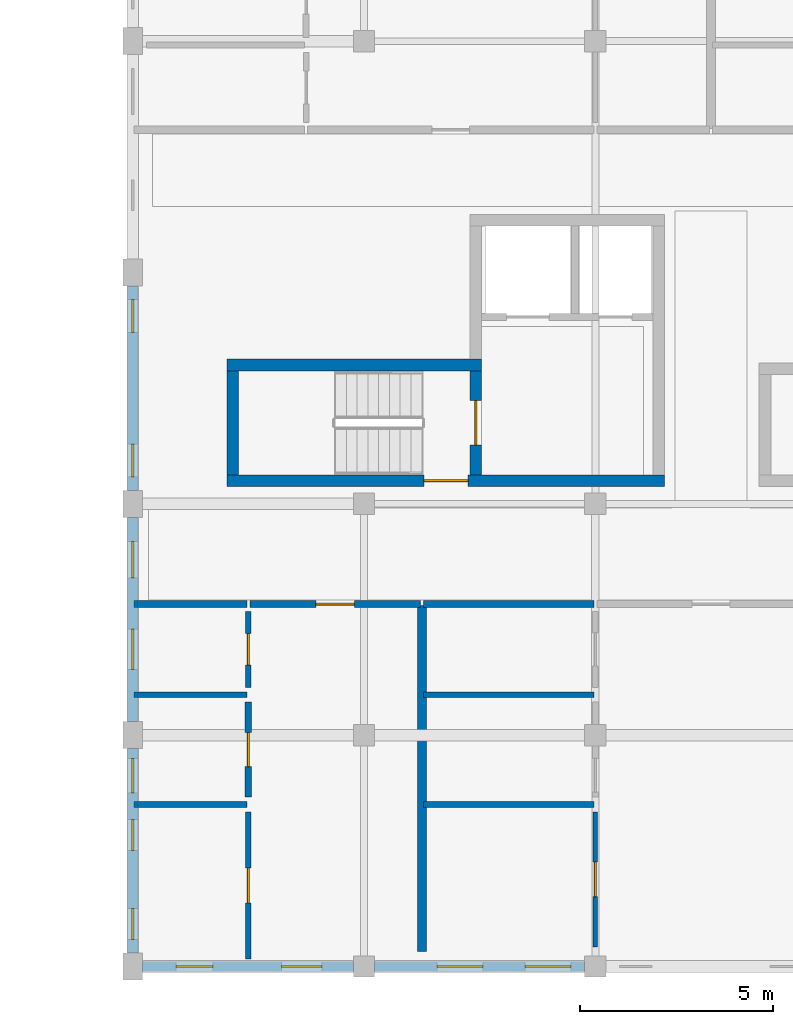
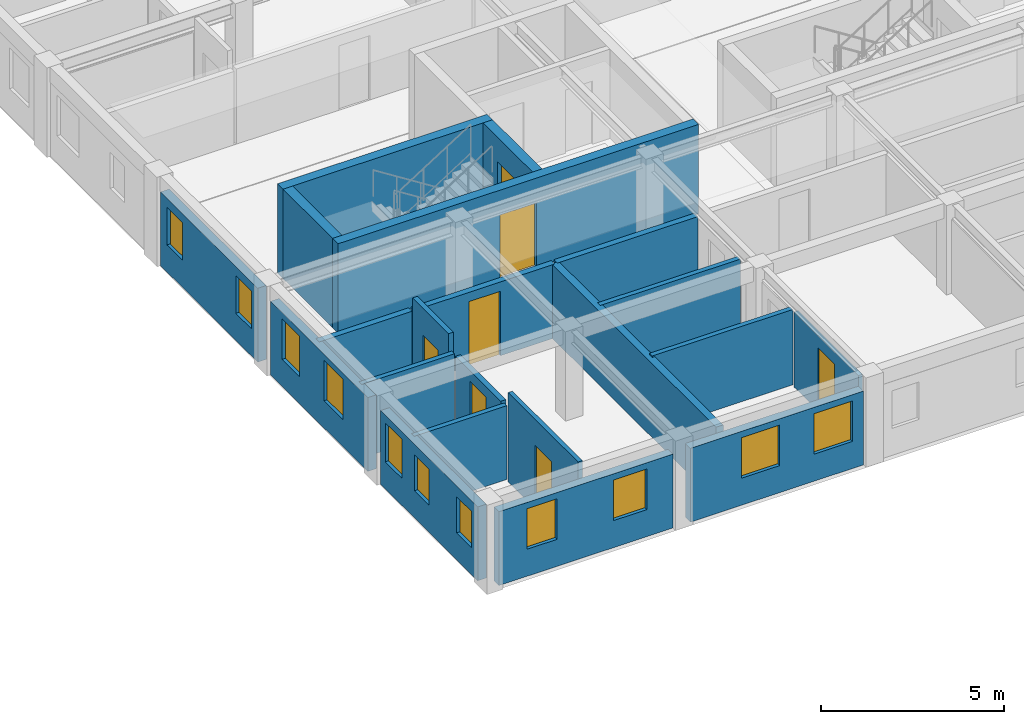
# One storey, part 11 of 28: 21 walls, 11 windows, 7 doors, 18 openings.
"""IFC4 building model written with IfcOpenShell, lengths in metres."""

from ifc_helpers import new_model, si_unit, direction, frame, frame_2d, origin, place, context, subcontext, project, spatial, rectangle, extrude, material, layer, layer_set, type_object, element, fill, save


model = new_model("IFC4")

# Units and contexts
model_context = context("Model", 3, precision=1e-05, world=origin(), true_north=direction((0.0, 1.0)))
body_context = subcontext(model_context, "Body", "Model", "MODEL_VIEW")
ifc_project = project(units=[si_unit("LENGTHUNIT", "METRE"), si_unit("AREAUNIT", "SQUARE_METRE"), si_unit("VOLUMEUNIT", "CUBIC_METRE"), si_unit("PLANEANGLEUNIT", "RADIAN"), si_unit("MASSUNIT", "GRAM", prefix="KILO"), si_unit("POWERUNIT", "WATT"), si_unit("THERMODYNAMICTEMPERATUREUNIT", "KELVIN")], contexts=[model_context])

# Site, building, storey
site_placement = place(None, origin())
site = spatial("IfcSite", under=ifc_project, at=site_placement, CompositionType="ELEMENT")
building_placement = place(site_placement, origin())
building = spatial("IfcBuilding", under=site, at=building_placement, Name="Ruvembo Vaulted Housing Court", CompositionType="ELEMENT")
storey_placement = place(building_placement, frame((0.0, 0.0, 23.699951171875)))
storey = spatial("IfcBuildingStorey", under=building, at=storey_placement, Name="L07", CompositionType="ELEMENT", Elevation=23.699951171875)

# Wall, opening, door
ifc_material_1 = material(Name="Concrete C35/45", Category="concrete")
ifc_layer_1 = layer(ifc_material_1, 0.300048828125, Name="Concrete C35/45")
ifc_layer_set_1 = layer_set([ifc_layer_1], Name="Concrete C35/45")
wall_type_1 = type_object("IfcWallType", Name="WL-CORE-300", PredefinedType="SHEAR", material=ifc_layer_set_1)
wall_1_placement = place(storey_placement, frame((104.449951171875, 12.60009765625, 0.0), z_axis=(0.0, 0.0, 1.0), x_axis=(1.0, 0.0, 0.0)))
wall_1 = element("IfcWall", 1, at=wall_1_placement, inside=storey, type_object=wall_type_1, Name="Core C1 L07 South Shear Wall", PredefinedType="SHEAR", context=body_context, shape_type="SweptSolid", body=[
    extrude(rectangle(XDim=11.35009765625, YDim=0.300048828125, at=frame_2d((5.675048828125, 0.0))), origin(), (0.0, 0.0, 1.0), 2.97509765625),
])
opening_1_placement = place(wall_1_placement, frame((5.10009765625, 0.0, 0.0)))
opening_1 = element("IfcOpeningElement", 2, at=opening_1_placement, cuts=wall_1, Name="Opening LD0", PredefinedType="OPENING", context=body_context, shape_type="SweptSolid", body=[
    extrude(rectangle(XDim=1.14990234375, YDim=2.14990234375, at=frame_2d((0.574951171875, 1.074951171875))), frame((0.0, 0.159912109375, 0.0), z_axis=(0.0, -1.0, 0.0), x_axis=(1.0, 0.0, 0.0)), (0.0, 0.0, 1.0), 0.320068359375),
])
ifc_material_2 = material(Name="Galvanised Painted Steel", Category="steel")
door_type_1 = type_object("IfcDoorType", Name="DR-LOB-1150x2150", OperationType="NOTDEFINED", PredefinedType="DOOR", material=ifc_material_2)
door_1_placement = place(opening_1_placement, origin())
door_1 = element("IfcDoor", 3, at=door_1_placement, inside=storey, type_object=door_type_1, Name="Core C1 L07 Lobby Fire Door", OperationType="SINGLE_SWING_LEFT", OverallHeight=2.14990234375, OverallWidth=1.14990234375, PredefinedType="DOOR", context=body_context, shape_type="SweptSolid", body=[
    extrude(rectangle(XDim=1.14990234375, YDim=2.14990234375, at=frame_2d((0.574951171875, 1.074951171875))), frame((0.0, 0.02490234375, 0.0), z_axis=(0.0, -1.0, 0.0), x_axis=(1.0, 0.0, 0.0)), (0.0, 0.0, 1.0), 0.050048828125),
])
fill(opening_1, door_1)

# Walls
wall_2_placement = place(storey_placement, frame((111.050048828125, 15.60009765625, 0.0), z_axis=(0.0, 0.0, 1.0), x_axis=(-1.0, 0.0, 0.0)))
element("IfcWall", 4, at=wall_2_placement, inside=storey, type_object=wall_type_1, Name="Core C1 L07 Stair North Shear Wall", PredefinedType="SHEAR", context=body_context, shape_type="SweptSolid", body=[
    extrude(rectangle(XDim=6.60009765625, YDim=0.300048828125, at=frame_2d((3.300048828125, 0.0))), origin(), (0.0, 0.0, 1.0), 2.97509765625),
])
wall_3_placement = place(storey_placement, frame((104.60009765625, 15.449951171875, 0.0), z_axis=(0.0, 0.0, 1.0), x_axis=(0.0, -1.0, 0.0)))
element("IfcWall", 5, at=wall_3_placement, inside=storey, type_object=wall_type_1, Name="Core C1 L07 Stair West Shear Wall", PredefinedType="SHEAR", context=body_context, shape_type="SweptSolid", body=[
    extrude(rectangle(XDim=2.699951171875, YDim=0.300048828125, at=frame_2d((1.35009765625, 0.0))), origin(), (0.0, 0.0, 1.0), 2.97509765625),
])

# Wall, opening, door
wall_4_placement = place(storey_placement, frame((110.89990234375, 12.75, 0.0), z_axis=(0.0, 0.0, 1.0), x_axis=(0.0, 1.0, 0.0)))
wall_4 = element("IfcWall", 6, at=wall_4_placement, inside=storey, type_object=wall_type_1, Name="Core C1 L07 Stair-Lobby Shear Wall", PredefinedType="SHEAR", context=body_context, shape_type="SweptSolid", body=[
    extrude(rectangle(XDim=2.699951171875, YDim=0.300048828125, at=frame_2d((1.35009765625, 0.0))), origin(), (0.0, 0.0, 1.0), 2.97509765625),
])
opening_2_placement = place(wall_4_placement, frame((0.77490234375, 0.0, 0.0)))
opening_2 = element("IfcOpeningElement", 7, at=opening_2_placement, cuts=wall_4, Name="Opening SD1", PredefinedType="OPENING", context=body_context, shape_type="SweptSolid", body=[
    extrude(rectangle(XDim=1.14990234375, YDim=2.14990234375, at=frame_2d((0.574951171875, 1.074951171875))), frame((0.0, 0.159912109375, 0.0), z_axis=(0.0, -1.0, 0.0), x_axis=(1.0, 0.0, 0.0)), (0.0, 0.0, 1.0), 0.320068359375),
])
door_type_2 = type_object("IfcDoorType", Name="DR-STAIR-1150x2150", OperationType="NOTDEFINED", PredefinedType="DOOR", material=ifc_material_2)
door_2_placement = place(opening_2_placement, origin())
door_2 = element("IfcDoor", 8, at=door_2_placement, inside=storey, type_object=door_type_2, Name="Stair ST-C1 L07 Fire Door", OperationType="SINGLE_SWING_RIGHT", OverallHeight=2.14990234375, OverallWidth=1.14990234375, PredefinedType="DOOR", context=body_context, shape_type="SweptSolid", body=[
    extrude(rectangle(XDim=1.14990234375, YDim=2.14990234375, at=frame_2d((0.574951171875, 1.074951171875))), frame((0.0, 0.02490234375, 0.0), z_axis=(0.0, -1.0, 0.0), x_axis=(1.0, 0.0, 0.0)), (0.0, 0.0, 1.0), 0.050048828125),
])
fill(opening_2, door_2)

# Wall
ifc_material_3 = material(Name="Concrete Blockwork 190", Category="masonry")
ifc_layer_2 = layer(ifc_material_3, 0.18994140625, Name="Concrete Blockwork 190")
ifc_layer_set_2 = layer_set([ifc_layer_2], Name="Concrete Blockwork 190")
wall_type_2 = type_object("IfcWallType", Name="WL-CORR-190", PredefinedType="SOLIDWALL", material=ifc_layer_set_2)
wall_5_placement = place(storey_placement, frame((102.0400390625, 9.39990234375, 0.0), z_axis=(0.0, 0.0, 1.0), x_axis=(1.0, 0.0, 0.0)))
element("IfcWall", 9, at=wall_5_placement, inside=storey, type_object=wall_type_2, Name="L07 Flat C-L07-S1 Corridor Wall WL-INT-L07-01930", PredefinedType="SOLIDWALL", context=body_context, shape_type="SweptSolid", body=[
    extrude(rectangle(XDim=2.919921875, YDim=0.18994140625, at=frame_2d((1.4599609375, 0.0))), origin(), (0.0, 0.0, 1.0), 2.45703125),
])

# Wall, opening, door
wall_6_placement = place(storey_placement, frame((105.0400390625, 9.39990234375, 0.0), z_axis=(0.0, 0.0, 1.0), x_axis=(1.0, 0.0, 0.0)))
wall_6 = element("IfcWall", 10, at=wall_6_placement, inside=storey, type_object=wall_type_2, Name="L07 Flat C-L07-S1 Entrance WL-INT-L07-01931", PredefinedType="SOLIDWALL", context=body_context, shape_type="SweptSolid", body=[
    extrude(rectangle(XDim=4.419921875, YDim=0.18994140625, at=frame_2d((2.2099609375, 0.0))), origin(), (0.0, 0.0, 1.0), 2.4580078125),
])
opening_3_placement = place(wall_6_placement, frame((1.7099609375, 0.0, 0.0)))
opening_3 = element("IfcOpeningElement", 11, at=opening_3_placement, cuts=wall_6, Name="Opening FD1", PredefinedType="OPENING", context=body_context, shape_type="SweptSolid", body=[
    extrude(rectangle(XDim=1.0, YDim=2.14990234375, at=frame_2d((0.5, 1.074951171875))), frame((0.0, 0.10498046875, 0.0), z_axis=(0.0, -1.0, 0.0), x_axis=(1.0, 0.0, 0.0)), (0.0, 0.0, 1.0), 0.2099609375),
])
ifc_material_4 = material(Name="FSC Hardwood and Engineered Timber", Category="wood")
door_type_3 = type_object("IfcDoorType", Name="DR-FLAT-1000x2150", OperationType="NOTDEFINED", PredefinedType="DOOR", material=ifc_material_4)
door_3_placement = place(opening_3_placement, origin())
door_3 = element("IfcDoor", 12, at=door_3_placement, inside=storey, type_object=door_type_3, Name="L07 Flat C-L07-S1 Entrance Door DR-INT-L07-01083", OperationType="SINGLE_SWING_LEFT", OverallHeight=2.14990234375, OverallWidth=1.0, PredefinedType="DOOR", context=body_context, shape_type="SweptSolid", body=[
    extrude(rectangle(XDim=1.0, YDim=2.14990234375, at=frame_2d((0.5, 1.074951171875))), frame((0.0, 0.02490234375, 0.0), z_axis=(0.0, -1.0, 0.0), x_axis=(1.0, 0.0, 0.0)), (0.0, 0.0, 1.0), 0.050048828125),
])
fill(opening_3, door_3)

# Walls
wall_7_placement = place(storey_placement, frame((109.5400390625, 9.39990234375, 0.0), z_axis=(0.0, 0.0, 1.0), x_axis=(1.0, 0.0, 0.0)))
element("IfcWall", 13, at=wall_7_placement, inside=storey, type_object=wall_type_2, Name="L07 Flat C-L07-S2 Corridor Wall WL-INT-L07-01938", PredefinedType="SOLIDWALL", context=body_context, shape_type="SweptSolid", body=[
    extrude(rectangle(XDim=4.419921875, YDim=0.18994140625, at=frame_2d((2.2099609375, 0.0))), origin(), (0.0, 0.0, 1.0), 2.4580078125),
])
ifc_material_5 = material(Name="Acoustic Masonry Demising 230", Category="masonry")
ifc_layer_3 = layer(ifc_material_5, 0.22998046875, Name="Acoustic Masonry Demising 230")
ifc_layer_set_3 = layer_set([ifc_layer_3], Name="Acoustic Masonry Demising 230")
wall_type_3 = type_object("IfcWallType", Name="WL-DEM-230", PredefinedType="SOLIDWALL", material=ifc_layer_set_3)
wall_8_placement = place(storey_placement, frame((109.5, 0.389892578125, 0.0), z_axis=(0.0, 0.0, 1.0), x_axis=(0.0, 1.0, 0.0)))
element("IfcWall", 14, at=wall_8_placement, inside=storey, type_object=wall_type_3, Name="L07 Demising C-L07-S1 WL-INT-L07-01929", PredefinedType="SOLIDWALL", context=body_context, shape_type="SweptSolid", body=[
    extrude(rectangle(XDim=8.97021484375, YDim=0.22998046875, at=frame_2d((4.485107421875, 0.0))), origin(), (0.0, 0.0, 1.0), 2.45703125),
])

# Wall, openings, windows
ifc_material_6 = material(Name="Rendered Masonry 270", Category="masonry")
ifc_layer_4 = layer(ifc_material_6, 0.27001953125, Name="Rendered Masonry 270")
ifc_layer_set_4 = layer_set([ifc_layer_4], Name="Rendered Masonry 270")
wall_type_4 = type_object("IfcWallType", Name="WL-EXT-270", PredefinedType="STANDARD", material=ifc_layer_set_4)
wall_9_placement = place(storey_placement, frame((102.25, 0.0, 0.0), z_axis=(0.0, 0.0, 1.0), x_axis=(1.0, 0.0, 0.0)))
wall_9 = element("IfcWall", 15, at=wall_9_placement, inside=storey, type_object=wall_type_4, Name="Block C L07 Exterior Wall STREET #1", PredefinedType="STANDARD", context=body_context, shape_type="SweptSolid", body=[
    extrude(rectangle(XDim=5.47509765625, YDim=0.27001953125, at=frame_2d((2.737548828125, 0.0))), origin(), (0.0, 0.0, 1.0), 2.45703125),
])
opening_4_placement = place(wall_9_placement, frame((0.8798828125, 0.0, 0.89990234375)))
opening_4 = element("IfcOpeningElement", 16, at=opening_4_placement, cuts=wall_9, Name="Opening W07", PredefinedType="OPENING", context=body_context, shape_type="SweptSolid", body=[
    extrude(rectangle(XDim=0.949951171875, YDim=1.35009765625, at=frame_2d((0.47509765625, 0.675048828125))), frame((0.0, 0.14501953125, 0.0), z_axis=(0.0, -1.0, 0.0), x_axis=(1.0, 0.0, 0.0)), (0.0, 0.0, 1.0), 0.2900390625),
])
opening_5_placement = place(wall_9_placement, frame((3.607421875, 0.0, 0.89990234375)))
opening_5 = element("IfcOpeningElement", 17, at=opening_5_placement, cuts=wall_9, Name="Opening W09", PredefinedType="OPENING", context=body_context, shape_type="SweptSolid", body=[
    extrude(rectangle(XDim=1.050048828125, YDim=1.35009765625, at=frame_2d((0.52490234375, 0.675048828125))), frame((0.0, 0.14501953125, 0.0), z_axis=(0.0, -1.0, 0.0), x_axis=(1.0, 0.0, 0.0)), (0.0, 0.0, 1.0), 0.2900390625),
])
ifc_material_7 = material(Name="Double Solar-Control Glazing in Aluminium Frame", Category="aluminium")
window_type_1 = type_object("IfcWindowType", Name="WIN-0950x1350", PartitioningType="SINGLE_PANEL", PredefinedType="WINDOW", material=ifc_material_7)
window_1_placement = place(opening_4_placement, origin())
window_1 = element("IfcWindow", 18, at=window_1_placement, inside=storey, type_object=window_type_1, Name="Block C L07 Window #1365", OverallHeight=1.35009765625, OverallWidth=0.949951171875, PartitioningType="SINGLE_PANEL", PredefinedType="WINDOW", context=body_context, shape_type="SweptSolid", body=[
    extrude(rectangle(XDim=0.949951171875, YDim=1.35009765625, at=frame_2d((0.47509765625, 0.675048828125))), frame((0.0, 0.030029296875, 0.0), z_axis=(0.0, -1.0, 0.0), x_axis=(1.0, 0.0, 0.0)), (0.0, 0.0, 1.0), 0.06005859375),
])
fill(opening_4, window_1)
window_type_2 = type_object("IfcWindowType", Name="WIN-1050x1350", PartitioningType="SINGLE_PANEL", PredefinedType="WINDOW", material=ifc_material_7)
window_2_placement = place(opening_5_placement, origin())
window_2 = element("IfcWindow", 19, at=window_2_placement, inside=storey, type_object=window_type_2, Name="Block C L07 Window #1366", OverallHeight=1.35009765625, OverallWidth=1.050048828125, PartitioningType="SINGLE_PANEL", PredefinedType="WINDOW", context=body_context, shape_type="SweptSolid", body=[
    extrude(rectangle(XDim=1.050048828125, YDim=1.35009765625, at=frame_2d((0.52490234375, 0.675048828125))), frame((0.0, 0.030029296875, 0.0), z_axis=(0.0, -1.0, 0.0), x_axis=(1.0, 0.0, 0.0)), (0.0, 0.0, 1.0), 0.06005859375),
])
fill(opening_5, window_2)

wall_10_placement = place(storey_placement, frame((108.27490234375, 0.0, 0.0), z_axis=(0.0, 0.0, 1.0), x_axis=(1.0, 0.0, 0.0)))
wall_10 = element("IfcWall", 20, at=wall_10_placement, inside=storey, type_object=wall_type_4, Name="Block C L07 Exterior Wall STREET #2", PredefinedType="STANDARD", context=body_context, shape_type="SweptSolid", body=[
    extrude(rectangle(XDim=5.4501953125, YDim=0.27001953125, at=frame_2d((2.72509765625, 0.0))), origin(), (0.0, 0.0, 1.0), 2.45703125),
])
opening_6_placement = place(wall_10_placement, frame((1.614990234375, 0.0, 0.89990234375)))
opening_6 = element("IfcOpeningElement", 21, at=opening_6_placement, cuts=wall_10, Name="Opening W12", PredefinedType="OPENING", context=body_context, shape_type="SweptSolid", body=[
    extrude(rectangle(XDim=1.199951171875, YDim=1.35009765625, at=frame_2d((0.60009765625, 0.675048828125))), frame((0.0, 0.14501953125, 0.0), z_axis=(0.0, -1.0, 0.0), x_axis=(1.0, 0.0, 0.0)), (0.0, 0.0, 1.0), 0.2900390625),
])
opening_7_placement = place(wall_10_placement, frame((3.89990234375, 0.0, 0.89990234375)))
opening_7 = element("IfcOpeningElement", 22, at=opening_7_placement, cuts=wall_10, Name="Opening W12", PredefinedType="OPENING", context=body_context, shape_type="SweptSolid", body=[
    extrude(rectangle(XDim=1.199951171875, YDim=1.35009765625, at=frame_2d((0.60009765625, 0.675048828125))), frame((0.0, 0.14501953125, 0.0), z_axis=(0.0, -1.0, 0.0), x_axis=(1.0, 0.0, 0.0)), (0.0, 0.0, 1.0), 0.2900390625),
])
window_type_3 = type_object("IfcWindowType", Name="WIN-1200x1350", PartitioningType="SINGLE_PANEL", PredefinedType="WINDOW", material=ifc_material_7)
window_3_placement = place(opening_6_placement, origin())
window_3 = element("IfcWindow", 23, at=window_3_placement, inside=storey, type_object=window_type_3, Name="Block C L07 Window #1367", OverallHeight=1.35009765625, OverallWidth=1.199951171875, PartitioningType="SINGLE_PANEL", PredefinedType="WINDOW", context=body_context, shape_type="SweptSolid", body=[
    extrude(rectangle(XDim=1.199951171875, YDim=1.35009765625, at=frame_2d((0.60009765625, 0.675048828125))), frame((0.0, 0.030029296875, 0.0), z_axis=(0.0, -1.0, 0.0), x_axis=(1.0, 0.0, 0.0)), (0.0, 0.0, 1.0), 0.06005859375),
])
fill(opening_6, window_3)
window_4_placement = place(opening_7_placement, origin())
window_4 = element("IfcWindow", 24, at=window_4_placement, inside=storey, type_object=window_type_3, Name="Block C L07 Window #1368", OverallHeight=1.35009765625, OverallWidth=1.199951171875, PartitioningType="SINGLE_PANEL", PredefinedType="WINDOW", context=body_context, shape_type="SweptSolid", body=[
    extrude(rectangle(XDim=1.199951171875, YDim=1.35009765625, at=frame_2d((0.60009765625, 0.675048828125))), frame((0.0, 0.030029296875, 0.0), z_axis=(0.0, -1.0, 0.0), x_axis=(1.0, 0.0, 0.0)), (0.0, 0.0, 1.0), 0.06005859375),
])
fill(opening_7, window_4)

wall_11_placement = place(storey_placement, frame((102.0, 17.64990234375, 0.0), z_axis=(0.0, 0.0, 1.0), x_axis=(0.0, -1.0, 0.0)))
wall_11 = element("IfcWall", 25, at=wall_11_placement, inside=storey, type_object=wall_type_4, Name="Block C L07 Exterior Wall WEST #3", PredefinedType="STANDARD", context=body_context, shape_type="SweptSolid", body=[
    extrude(rectangle(XDim=5.2998046875, YDim=0.27001953125, at=frame_2d((2.64990234375, 0.0))), origin(), (0.0, 0.0, 1.0), 2.45703125),
])
opening_8_placement = place(wall_11_placement, frame((0.35009765625, 0.0, 0.89990234375)))
opening_8 = element("IfcOpeningElement", 26, at=opening_8_placement, cuts=wall_11, Name="Opening W03", PredefinedType="OPENING", context=body_context, shape_type="SweptSolid", body=[
    extrude(rectangle(XDim=0.85009765625, YDim=1.25, at=frame_2d((0.425048828125, 0.625))), frame((0.0, 0.14501953125, 0.0), z_axis=(0.0, -1.0, 0.0), x_axis=(1.0, 0.0, 0.0)), (0.0, 0.0, 1.0), 0.2900390625),
])
opening_9_placement = place(wall_11_placement, frame((4.10009765625, 0.0, 0.89990234375)))
opening_9 = element("IfcOpeningElement", 27, at=opening_9_placement, cuts=wall_11, Name="Opening W03", PredefinedType="OPENING", context=body_context, shape_type="SweptSolid", body=[
    extrude(rectangle(XDim=0.85009765625, YDim=1.25, at=frame_2d((0.425048828125, 0.625))), frame((0.0, 0.14501953125, 0.0), z_axis=(0.0, -1.0, 0.0), x_axis=(1.0, 0.0, 0.0)), (0.0, 0.0, 1.0), 0.2900390625),
])
window_type_4 = type_object("IfcWindowType", Name="WIN-0850x1250", PartitioningType="SINGLE_PANEL", PredefinedType="WINDOW", material=ifc_material_7)
window_5_placement = place(opening_8_placement, origin())
window_5 = element("IfcWindow", 28, at=window_5_placement, inside=storey, type_object=window_type_4, Name="Block C L07 Window #1399", OverallHeight=1.25, OverallWidth=0.85009765625, PartitioningType="SINGLE_PANEL", PredefinedType="WINDOW", context=body_context, shape_type="SweptSolid", body=[
    extrude(rectangle(XDim=0.85009765625, YDim=1.25, at=frame_2d((0.425048828125, 0.625))), frame((0.0, 0.030029296875, 0.0), z_axis=(0.0, -1.0, 0.0), x_axis=(1.0, 0.0, 0.0)), (0.0, 0.0, 1.0), 0.06005859375),
])
fill(opening_8, window_5)
window_6_placement = place(opening_9_placement, origin())
window_6 = element("IfcWindow", 29, at=window_6_placement, inside=storey, type_object=window_type_4, Name="Block C L07 Window #1400", OverallHeight=1.25, OverallWidth=0.85009765625, PartitioningType="SINGLE_PANEL", PredefinedType="WINDOW", context=body_context, shape_type="SweptSolid", body=[
    extrude(rectangle(XDim=0.85009765625, YDim=1.25, at=frame_2d((0.425048828125, 0.625))), frame((0.0, 0.030029296875, 0.0), z_axis=(0.0, -1.0, 0.0), x_axis=(1.0, 0.0, 0.0)), (0.0, 0.0, 1.0), 0.06005859375),
])
fill(opening_9, window_6)

wall_12_placement = place(storey_placement, frame((102.0, 11.64990234375, 0.0), z_axis=(0.0, 0.0, 1.0), x_axis=(0.0, -1.0, 0.0)))
wall_12 = element("IfcWall", 30, at=wall_12_placement, inside=storey, type_object=wall_type_4, Name="Block C L07 Exterior Wall WEST #4", PredefinedType="STANDARD", context=body_context, shape_type="SweptSolid", body=[
    extrude(rectangle(XDim=5.2998046875, YDim=0.27001953125, at=frame_2d((2.64990234375, 0.0))), origin(), (0.0, 0.0, 1.0), 2.45703125),
])
opening_10_placement = place(wall_12_placement, frame((0.6298828125, 0.0, 0.89990234375)))
opening_10 = element("IfcOpeningElement", 31, at=opening_10_placement, cuts=wall_12, Name="Opening W07", PredefinedType="OPENING", context=body_context, shape_type="SweptSolid", body=[
    extrude(rectangle(XDim=0.949951171875, YDim=1.35009765625, at=frame_2d((0.47509765625, 0.675048828125))), frame((0.0, 0.14501953125, 0.0), z_axis=(0.0, -1.0, 0.0), x_axis=(1.0, 0.0, 0.0)), (0.0, 0.0, 1.0), 0.2900390625),
])
opening_11_placement = place(wall_12_placement, frame((2.89990234375, 0.0, 0.89990234375)))
opening_11 = element("IfcOpeningElement", 32, at=opening_11_placement, cuts=wall_12, Name="Opening W09", PredefinedType="OPENING", context=body_context, shape_type="SweptSolid", body=[
    extrude(rectangle(XDim=1.050048828125, YDim=1.35009765625, at=frame_2d((0.52490234375, 0.675048828125))), frame((0.0, 0.14501953125, 0.0), z_axis=(0.0, -1.0, 0.0), x_axis=(1.0, 0.0, 0.0)), (0.0, 0.0, 1.0), 0.2900390625),
])
window_7_placement = place(opening_10_placement, origin())
window_7 = element("IfcWindow", 33, at=window_7_placement, inside=storey, type_object=window_type_1, Name="Block C L07 Window #1401", OverallHeight=1.35009765625, OverallWidth=0.949951171875, PartitioningType="SINGLE_PANEL", PredefinedType="WINDOW", context=body_context, shape_type="SweptSolid", body=[
    extrude(rectangle(XDim=0.949951171875, YDim=1.35009765625, at=frame_2d((0.47509765625, 0.675048828125))), frame((0.0, 0.030029296875, 0.0), z_axis=(0.0, -1.0, 0.0), x_axis=(1.0, 0.0, 0.0)), (0.0, 0.0, 1.0), 0.06005859375),
])
fill(opening_10, window_7)
window_8_placement = place(opening_11_placement, origin())
window_8 = element("IfcWindow", 34, at=window_8_placement, inside=storey, type_object=window_type_2, Name="Block C L07 Window #1402", OverallHeight=1.35009765625, OverallWidth=1.050048828125, PartitioningType="SINGLE_PANEL", PredefinedType="WINDOW", context=body_context, shape_type="SweptSolid", body=[
    extrude(rectangle(XDim=1.050048828125, YDim=1.35009765625, at=frame_2d((0.52490234375, 0.675048828125))), frame((0.0, 0.030029296875, 0.0), z_axis=(0.0, -1.0, 0.0), x_axis=(1.0, 0.0, 0.0)), (0.0, 0.0, 1.0), 0.06005859375),
])
fill(opening_11, window_8)

wall_13_placement = place(storey_placement, frame((102.0, 5.64990234375, 0.0), z_axis=(0.0, 0.0, 1.0), x_axis=(0.0, -1.0, 0.0)))
wall_13 = element("IfcWall", 35, at=wall_13_placement, inside=storey, type_object=wall_type_4, Name="Block C L07 Exterior Wall WEST #5", PredefinedType="STANDARD", context=body_context, shape_type="SweptSolid", body=[
    extrude(rectangle(XDim=5.2998046875, YDim=0.27001953125, at=frame_2d((2.64990234375, 0.0))), origin(), (0.0, 0.0, 1.0), 2.45703125),
])
opening_12_placement = place(wall_13_placement, frame((0.2548828125, 0.0, 0.89990234375)))
opening_12 = element("IfcOpeningElement", 36, at=opening_12_placement, cuts=wall_13, Name="Opening W04", PredefinedType="OPENING", context=body_context, shape_type="SweptSolid", body=[
    extrude(rectangle(XDim=0.89990234375, YDim=1.300048828125, at=frame_2d((0.449951171875, 0.64990234375))), frame((0.0, 0.14501953125, 0.0), z_axis=(0.0, -1.0, 0.0), x_axis=(1.0, 0.0, 0.0)), (0.0, 0.0, 1.0), 0.2900390625),
])
opening_13_placement = place(wall_13_placement, frame((1.840087890625, 0.0, 0.89990234375)))
opening_13 = element("IfcOpeningElement", 37, at=opening_13_placement, cuts=wall_13, Name="Opening W02", PredefinedType="OPENING", context=body_context, shape_type="SweptSolid", body=[
    extrude(rectangle(XDim=0.800048828125, YDim=1.199951171875, at=frame_2d((0.39990234375, 0.60009765625))), frame((0.0, 0.14501953125, 0.0), z_axis=(0.0, -1.0, 0.0), x_axis=(1.0, 0.0, 0.0)), (0.0, 0.0, 1.0), 0.2900390625),
])
opening_14_placement = place(wall_13_placement, frame((4.14990234375, 0.0, 0.89990234375)))
opening_14 = element("IfcOpeningElement", 38, at=opening_14_placement, cuts=wall_13, Name="Opening W02", PredefinedType="OPENING", context=body_context, shape_type="SweptSolid", body=[
    extrude(rectangle(XDim=0.800048828125, YDim=1.199951171875, at=frame_2d((0.39990234375, 0.60009765625))), frame((0.0, 0.14501953125, 0.0), z_axis=(0.0, -1.0, 0.0), x_axis=(1.0, 0.0, 0.0)), (0.0, 0.0, 1.0), 0.2900390625),
])
window_type_5 = type_object("IfcWindowType", Name="WIN-0800x1200", PartitioningType="SINGLE_PANEL", PredefinedType="WINDOW", material=ifc_material_7)
window_9_placement = place(opening_13_placement, origin())
window_9 = element("IfcWindow", 39, at=window_9_placement, inside=storey, type_object=window_type_5, Name="Block C L07 Window #1404", OverallHeight=1.199951171875, OverallWidth=0.800048828125, PartitioningType="SINGLE_PANEL", PredefinedType="WINDOW", context=body_context, shape_type="SweptSolid", body=[
    extrude(rectangle(XDim=0.800048828125, YDim=1.199951171875, at=frame_2d((0.39990234375, 0.60009765625))), frame((0.0, 0.030029296875, 0.0), z_axis=(0.0, -1.0, 0.0), x_axis=(1.0, 0.0, 0.0)), (0.0, 0.0, 1.0), 0.06005859375),
])
fill(opening_13, window_9)
window_10_placement = place(opening_14_placement, origin())
window_10 = element("IfcWindow", 40, at=window_10_placement, inside=storey, type_object=window_type_5, Name="Block C L07 Window #1405", OverallHeight=1.199951171875, OverallWidth=0.800048828125, PartitioningType="SINGLE_PANEL", PredefinedType="WINDOW", context=body_context, shape_type="SweptSolid", body=[
    extrude(rectangle(XDim=0.800048828125, YDim=1.199951171875, at=frame_2d((0.39990234375, 0.60009765625))), frame((0.0, 0.030029296875, 0.0), z_axis=(0.0, -1.0, 0.0), x_axis=(1.0, 0.0, 0.0)), (0.0, 0.0, 1.0), 0.06005859375),
])
fill(opening_14, window_10)
window_type_6 = type_object("IfcWindowType", Name="WIN-0900x1300", PartitioningType="SINGLE_PANEL", PredefinedType="WINDOW", material=ifc_material_7)
window_11_placement = place(opening_12_placement, origin())
window_11 = element("IfcWindow", 41, at=window_11_placement, inside=storey, type_object=window_type_6, Name="Block C L07 Window #1403", OverallHeight=1.300048828125, OverallWidth=0.89990234375, PartitioningType="SINGLE_PANEL", PredefinedType="WINDOW", context=body_context, shape_type="SweptSolid", body=[
    extrude(rectangle(XDim=0.89990234375, YDim=1.300048828125, at=frame_2d((0.449951171875, 0.64990234375))), frame((0.0, 0.030029296875, 0.0), z_axis=(0.0, -1.0, 0.0), x_axis=(1.0, 0.0, 0.0)), (0.0, 0.0, 1.0), 0.06005859375),
])
fill(opening_12, window_11)

# Wall, opening, door
ifc_material_8 = material(Name="Plasterboard Stud Partition 125", Category="gypsum")
ifc_layer_5 = layer(ifc_material_8, 0.125, Name="Plasterboard Stud Partition 125")
ifc_layer_set_5 = layer_set([ifc_layer_5], Name="Plasterboard Stud Partition 125")
wall_type_5 = type_object("IfcWallType", Name="WL-PART-125", PredefinedType="PARTITIONING", material=ifc_layer_set_5)
wall_14_placement = place(storey_placement, frame((114.0, 0.510009765625, 0.0), z_axis=(0.0, 0.0, 1.0), x_axis=(0.0, 1.0, 0.0)))
wall_14 = element("IfcWall", 42, at=wall_14_placement, inside=storey, type_object=wall_type_5, Name="L07 Flat C-L07-S2 Bedroom 1 WL-INT-L07-01940", PredefinedType="PARTITIONING", context=body_context, shape_type="SweptSolid", body=[
    extrude(rectangle(XDim=3.5, YDim=0.125, at=frame_2d((1.75, 0.0))), origin(), (0.0, 0.0, 1.0), 2.508056640625),
])
opening_15_placement = place(wall_14_placement, frame((1.300048828125, 0.0, 0.0)))
opening_15 = element("IfcOpeningElement", 43, at=opening_15_placement, cuts=wall_14, Name="Opening ID1", PredefinedType="OPENING", context=body_context, shape_type="SweptSolid", body=[
    extrude(rectangle(XDim=0.89990234375, YDim=2.10009765625, at=frame_2d((0.449951171875, 1.050048828125))), frame((0.0, 0.072509765625, 0.0), z_axis=(0.0, -1.0, 0.0), x_axis=(1.0, 0.0, 0.0)), (0.0, 0.0, 1.0), 0.14501953125),
])
door_type_4 = type_object("IfcDoorType", Name="DR-ROOM-0900x2100", OperationType="NOTDEFINED", PredefinedType="DOOR", material=ifc_material_4)
door_4_placement = place(opening_15_placement, origin())
door_4 = element("IfcDoor", 44, at=door_4_placement, inside=storey, type_object=door_type_4, Name="L07 Flat C-L07-S2 Bedroom 1 Door DR-INT-L07-01088", OperationType="SINGLE_SWING_RIGHT", OverallHeight=2.10009765625, OverallWidth=0.89990234375, PredefinedType="DOOR", context=body_context, shape_type="SweptSolid", body=[
    extrude(rectangle(XDim=0.89990234375, YDim=2.10009765625, at=frame_2d((0.449951171875, 1.050048828125))), frame((0.0, 0.02490234375, 0.0), z_axis=(0.0, -1.0, 0.0), x_axis=(1.0, 0.0, 0.0)), (0.0, 0.0, 1.0), 0.050048828125),
])
fill(opening_15, door_4)

ifc_material_9 = material(Name="Acoustic Stud Partition 135", Category="gypsum")
ifc_layer_6 = layer(ifc_material_9, 0.135009765625, Name="Acoustic Stud Partition 135")
ifc_layer_set_6 = layer_set([ifc_layer_6], Name="Acoustic Stud Partition 135")
wall_type_6 = type_object("IfcWallType", Name="WL-PART-135", PredefinedType="PARTITIONING", material=ifc_layer_set_6)
wall_15_placement = place(storey_placement, frame((105.0, 0.18994140625, 0.0), z_axis=(0.0, 0.0, 1.0), x_axis=(0.0, 1.0, 0.0)))
wall_15 = element("IfcWall", 45, at=wall_15_placement, inside=storey, type_object=wall_type_6, Name="L07 Flat C-L07-S1 Bedroom 1 WL-INT-L07-01932", PredefinedType="PARTITIONING", context=body_context, shape_type="SweptSolid", body=[
    extrude(rectangle(XDim=3.820068359375, YDim=0.135009765625, at=frame_2d((1.91015625, 0.0))), origin(), (0.0, 0.0, 1.0), 2.97509765625),
])
opening_16_placement = place(wall_15_placement, frame((1.4599609375, 0.0, 0.0)))
opening_16 = element("IfcOpeningElement", 46, at=opening_16_placement, cuts=wall_15, Name="Opening ID1", PredefinedType="OPENING", context=body_context, shape_type="SweptSolid", body=[
    extrude(rectangle(XDim=0.89990234375, YDim=2.10009765625, at=frame_2d((0.449951171875, 1.050048828125))), frame((0.0, 0.077392578125, 0.0), z_axis=(0.0, -1.0, 0.0), x_axis=(1.0, 0.0, 0.0)), (0.0, 0.0, 1.0), 0.155029296875),
])
door_5_placement = place(opening_16_placement, origin())
door_5 = element("IfcDoor", 47, at=door_5_placement, inside=storey, type_object=door_type_4, Name="L07 Flat C-L07-S1 Bedroom 1 Door DR-INT-L07-01084", OperationType="SINGLE_SWING_RIGHT", OverallHeight=2.10009765625, OverallWidth=0.89990234375, PredefinedType="DOOR", context=body_context, shape_type="SweptSolid", body=[
    extrude(rectangle(XDim=0.89990234375, YDim=2.10009765625, at=frame_2d((0.449951171875, 1.050048828125))), frame((0.0, 0.02490234375, 0.0), z_axis=(0.0, -1.0, 0.0), x_axis=(1.0, 0.0, 0.0)), (0.0, 0.0, 1.0), 0.050048828125),
])
fill(opening_16, door_5)

ifc_material_10 = material(Name="Moisture-Resistant Wet Partition 150", Category="gypsum")
ifc_layer_7 = layer(ifc_material_10, 0.14990234375, Name="Moisture-Resistant Wet Partition 150")
ifc_layer_set_7 = layer_set([ifc_layer_7], Name="Moisture-Resistant Wet Partition 150")
wall_type_7 = type_object("IfcWallType", Name="WL-PART-150", PredefinedType="PARTITIONING", material=ifc_layer_set_7)
wall_16_placement = place(storey_placement, frame((105.0, 7.239990234375, 0.0), z_axis=(0.0, 0.0, 1.0), x_axis=(0.0, 1.0, 0.0)))
wall_16 = element("IfcWall", 48, at=wall_16_placement, inside=storey, type_object=wall_type_7, Name="L07 Flat C-L07-S1 Bathroom WL-INT-L07-01934", PredefinedType="PARTITIONING", context=body_context, shape_type="SweptSolid", body=[
    extrude(rectangle(XDim=1.969970703125, YDim=0.14990234375, at=frame_2d((0.98486328125, 0.0))), origin(), (0.0, 0.0, 1.0), 2.97509765625),
])
opening_17_placement = place(wall_16_placement, frame((0.574951171875, 0.0, 0.0)))
opening_17 = element("IfcOpeningElement", 49, at=opening_17_placement, cuts=wall_16, Name="Opening ID4", PredefinedType="OPENING", context=body_context, shape_type="SweptSolid", body=[
    extrude(rectangle(XDim=0.820068359375, YDim=2.080078125, at=frame_2d((0.41015625, 1.0400390625))), frame((0.0, 0.0849609375, 0.0), z_axis=(0.0, -1.0, 0.0), x_axis=(1.0, 0.0, 0.0)), (0.0, 0.0, 1.0), 0.169921875),
])
door_type_5 = type_object("IfcDoorType", Name="DR-WET-0820x2080", OperationType="NOTDEFINED", PredefinedType="DOOR", material=ifc_material_4)
door_6_placement = place(opening_17_placement, origin())
door_6 = element("IfcDoor", 50, at=door_6_placement, inside=storey, type_object=door_type_5, Name="L07 Flat C-L07-S1 Bathroom Door DR-INT-L07-01086", OperationType="SINGLE_SWING_RIGHT", OverallHeight=2.080078125, OverallWidth=0.820068359375, PredefinedType="DOOR", context=body_context, shape_type="SweptSolid", body=[
    extrude(rectangle(XDim=0.820068359375, YDim=2.080078125, at=frame_2d((0.41015625, 1.0400390625))), frame((0.0, 0.02490234375, 0.0), z_axis=(0.0, -1.0, 0.0), x_axis=(1.0, 0.0, 0.0)), (0.0, 0.0, 1.0), 0.050048828125),
])
fill(opening_17, door_6)

# Walls
for number, where, z_axis, x_axis, name in (
    (51, (102.0400390625, 4.199951171875, 0.0), (0.0, 0.0, 1.0), (1.0, 0.0, 0.0), "L07 Flat C-L07-S1 Wet Wall 1 WL-INT-L07-01935"),
    (52, (102.0400390625, 7.050048828125, 0.0), (0.0, 0.0, 1.0), (1.0, 0.0, 0.0), "L07 Flat C-L07-S1 Wet Wall 2 WL-INT-L07-01936"),
):
    element("IfcWall", number, at=place(storey_placement, frame(where, z_axis=z_axis, x_axis=x_axis)), inside=storey, type_object=wall_type_7, Name=name, PredefinedType="PARTITIONING", context=body_context, shape_type="SweptSolid", body=[
        extrude(rectangle(XDim=2.919921875, YDim=0.14990234375, at=frame_2d((1.4599609375, 0.0))), origin(), (0.0, 0.0, 1.0), 2.45703125),
    ])
wall_17_placement = place(storey_placement, frame((109.5400390625, 4.199951171875, 0.0), z_axis=(0.0, 0.0, 1.0), x_axis=(1.0, 0.0, 0.0)))
element("IfcWall", 53, at=wall_17_placement, inside=storey, type_object=wall_type_7, Name="L07 Flat C-L07-S2 Wet Wall 1 WL-INT-L07-01943", PredefinedType="PARTITIONING", context=body_context, shape_type="SweptSolid", body=[
    extrude(rectangle(XDim=4.419921875, YDim=0.14990234375, at=frame_2d((2.2099609375, 0.0))), origin(), (0.0, 0.0, 1.0), 2.508056640625),
])
wall_18_placement = place(storey_placement, frame((109.5400390625, 7.050048828125, 0.0), z_axis=(0.0, 0.0, 1.0), x_axis=(1.0, 0.0, 0.0)))
element("IfcWall", 54, at=wall_18_placement, inside=storey, type_object=wall_type_7, Name="L07 Flat C-L07-S2 Wet Wall 2 WL-INT-L07-01944", PredefinedType="PARTITIONING", context=body_context, shape_type="SweptSolid", body=[
    extrude(rectangle(XDim=4.419921875, YDim=0.14990234375, at=frame_2d((2.2099609375, 0.0))), origin(), (0.0, 0.0, 1.0), 2.4580078125),
])

# Wall, opening, door
ifc_material_11 = material(Name="Acoustic Service Chase Wall 160", Category="gypsum")
ifc_layer_8 = layer(ifc_material_11, 0.159912109375, Name="Acoustic Service Chase Wall 160")
ifc_layer_set_8 = layer_set([ifc_layer_8], Name="Acoustic Service Chase Wall 160")
wall_type_8 = type_object("IfcWallType", Name="WL-PLUMB-160", PredefinedType="PLUMBINGWALL", material=ifc_layer_set_8)
wall_19_placement = place(storey_placement, frame((105.0, 4.389892578125, 0.0), z_axis=(0.0, 0.0, 1.0), x_axis=(0.0, 1.0, 0.0)))
wall_19 = element("IfcWall", 55, at=wall_19_placement, inside=storey, type_object=wall_type_8, Name="L07 Flat C-L07-S1 Kitchen WL-INT-L07-01933", PredefinedType="PLUMBINGWALL", context=body_context, shape_type="SweptSolid", body=[
    extrude(rectangle(XDim=2.47021484375, YDim=0.159912109375, at=frame_2d((1.235107421875, 0.0))), origin(), (0.0, 0.0, 1.0), 2.45703125),
])
opening_18_placement = place(wall_19_placement, frame((0.794921875, 0.0, 0.0)))
opening_18 = element("IfcOpeningElement", 56, at=opening_18_placement, cuts=wall_19, Name="Opening ID3", PredefinedType="OPENING", context=body_context, shape_type="SweptSolid", body=[
    extrude(rectangle(XDim=0.8798828125, YDim=2.10009765625, at=frame_2d((0.43994140625, 1.050048828125))), frame((0.0, 0.08984375, 0.0), z_axis=(0.0, -1.0, 0.0), x_axis=(1.0, 0.0, 0.0)), (0.0, 0.0, 1.0), 0.179931640625),
])
door_type_6 = type_object("IfcDoorType", Name="DR-ROOM-0880x2100", OperationType="NOTDEFINED", PredefinedType="DOOR", material=ifc_material_4)
door_7_placement = place(opening_18_placement, origin())
door_7 = element("IfcDoor", 57, at=door_7_placement, inside=storey, type_object=door_type_6, Name="L07 Flat C-L07-S1 Kitchen Door DR-INT-L07-01085", OperationType="SINGLE_SWING_LEFT", OverallHeight=2.10009765625, OverallWidth=0.8798828125, PredefinedType="DOOR", context=body_context, shape_type="SweptSolid", body=[
    extrude(rectangle(XDim=0.8798828125, YDim=2.10009765625, at=frame_2d((0.43994140625, 1.050048828125))), frame((0.0, 0.02490234375, 0.0), z_axis=(0.0, -1.0, 0.0), x_axis=(1.0, 0.0, 0.0)), (0.0, 0.0, 1.0), 0.050048828125),
])
fill(opening_18, door_7)

save(model, "model.ifc")
